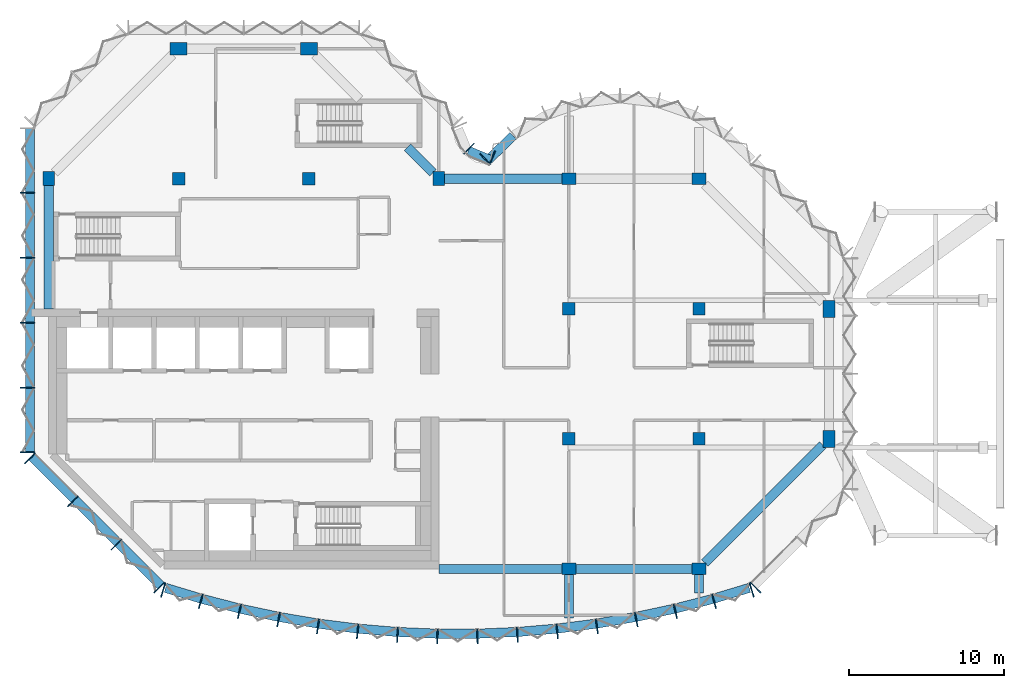
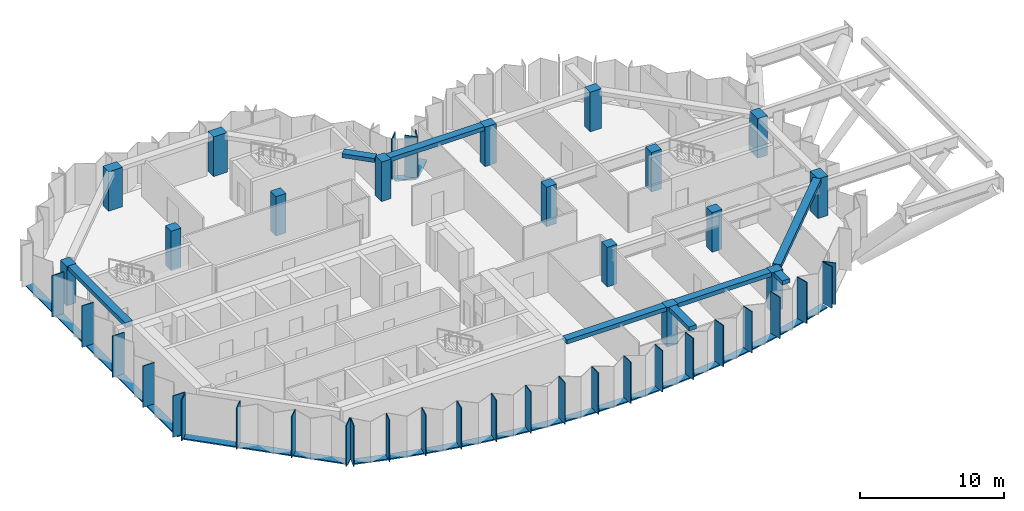
# One storey, part 1 of 11: 48 members, 16 columns, 8 beams, 6 elements without a shape of their own.
"""IFC4 building model written with IfcOpenShell, lengths in metres."""

from ifc_helpers import new_model, si_unit, direction, frame, origin, origin_2d, place, context, subcontext, project, spatial, rectangle, extrude, material, material_profile, profile_set, type_object, element, aggregate, save


model = new_model("IFC4")

# Units and contexts
model_context = context("Model", 3, precision=1e-05, world=origin(), true_north=direction((0.0, 1.0)))
body_context = subcontext(model_context, "Body", "Model", "MODEL_VIEW")
ifc_project = project(units=[si_unit("LENGTHUNIT", "METRE"), si_unit("AREAUNIT", "SQUARE_METRE"), si_unit("VOLUMEUNIT", "CUBIC_METRE"), si_unit("PLANEANGLEUNIT", "RADIAN"), si_unit("MASSUNIT", "GRAM", prefix="KILO")], contexts=[model_context])

# Site, building, storey
site_placement = place(None, origin())
site = spatial("IfcSite", under=ifc_project, at=site_placement, CompositionType="ELEMENT")
building_placement = place(site_placement, origin())
building = spatial("IfcBuilding", under=site, at=building_placement, Name="Brevane Broadcast Tower", CompositionType="ELEMENT")
storey_placement = place(building_placement, frame((0.0, 0.0, 219.300048828125)))
storey = spatial("IfcBuildingStorey", under=building, at=storey_placement, Name="L55", CompositionType="ELEMENT", Elevation=219.300048828125)

# Columns
ifc_material_1 = material(Name="Concrete C50/60", Category="concrete")
ifc_material_profile_1 = material_profile(ifc_material_1, rectangle(XDim=0.75, YDim=0.89990234375, at=origin_2d()), Name="RC 750x900")
ifc_profile_set_1 = profile_set([ifc_material_profile_1], Name="Concrete C50/60")
column_type_1 = type_object("IfcColumnType", Name="RC COLUMN EDGE 750x900 C50/60", PredefinedType="COLUMN", material=ifc_profile_set_1)
for number, where, z_axis, x_axis, name in (
    (1, (0.0, 25.199951171875, 0.0), (0.0, 0.0, 1.0), (1.0, 0.0, 0.0), "CE14 1/D"),
    (2, (25.199951171875, 25.199951171875, 0.0), (0.0, 0.0, 1.0), (1.0, 0.0, 0.0), "CE14 4/D"),
    (3, (33.60009765625, 0.0, 0.0), (0.0, 0.0, 1.0), (0.0, 1.0, 0.0), "CE14 5/A"),
    (4, (33.60009765625, 25.199951171875, 0.0), (0.0, 0.0, 1.0), (0.0, 1.0, 0.0), "CE14 5/D"),
    (5, (42.0, 0.0, 0.0), (0.0, 0.0, 1.0), (0.0, 1.0, 0.0), "CE14 6/A"),
    (6, (42.0, 25.199951171875, 0.0), (0.0, 0.0, 1.0), (0.0, 1.0, 0.0), "CE14 6/D"),
):
    element("IfcColumn", number, at=place(storey_placement, frame(where, z_axis=z_axis, x_axis=x_axis)), inside=storey, type_object=column_type_1, Name=name, PredefinedType="COLUMN", context=body_context, shape_type="SweptSolid", body=[
        extrude(rectangle(XDim=0.75, YDim=0.89990234375, at=origin_2d()), origin(), (0.0, 0.0, 1.0), 3.349853515625),
    ])
ifc_material_profile_2 = material_profile(ifc_material_1, rectangle(XDim=0.800048828125, YDim=0.800048828125, at=origin_2d()), Name="RC 800x800")
ifc_profile_set_2 = profile_set([ifc_material_profile_2], Name="Concrete C50/60")
column_type_2 = type_object("IfcColumnType", Name="RC COLUMN INTERIOR 800x800 C50/60", PredefinedType="COLUMN", material=ifc_profile_set_2)
for number, where, z_axis, x_axis, name in (
    (7, (8.39990234375, 25.199951171875, 0.0), (0.0, 0.0, 1.0), (1.0, 0.0, 0.0), "CI15 2/D"),
    (8, (16.800048828125, 25.199951171875, 0.0), (0.0, 0.0, 1.0), (1.0, 0.0, 0.0), "CI15 3/D"),
    (9, (33.60009765625, 8.39990234375, 0.0), (0.0, 0.0, 1.0), (1.0, 0.0, 0.0), "CI15 5/B"),
    (10, (33.60009765625, 16.800048828125, 0.0), (0.0, 0.0, 1.0), (1.0, 0.0, 0.0), "CI15 5/C"),
    (11, (42.0, 8.39990234375, 0.0), (0.0, 0.0, 1.0), (1.0, 0.0, 0.0), "CI15 6/B"),
    (12, (42.0, 16.800048828125, 0.0), (0.0, 0.0, 1.0), (1.0, 0.0, 0.0), "CI15 6/C"),
):
    element("IfcColumn", number, at=place(storey_placement, frame(where, z_axis=z_axis, x_axis=x_axis)), inside=storey, type_object=column_type_2, Name=name, PredefinedType="COLUMN", context=body_context, shape_type="SweptSolid", body=[
        extrude(rectangle(XDim=0.800048828125, YDim=0.800048828125, at=origin_2d()), origin(), (0.0, 0.0, 1.0), 3.349853515625),
    ])
ifc_material_profile_3 = material_profile(ifc_material_1, rectangle(XDim=0.800048828125, YDim=1.10009765625, at=origin_2d()), Name="RC 800x1100")
ifc_profile_set_3 = profile_set([ifc_material_profile_3], Name="Concrete C50/60")
column_type_3 = type_object("IfcColumnType", Name="RC COLUMN WING-END 800x1100 C50/60", PredefinedType="COLUMN", material=ifc_profile_set_3)
for number, where, z_axis, x_axis, name in (
    (13, (8.39990234375, 33.60009765625, 0.0), (0.0, 0.0, 1.0), (0.0, 1.0, 0.0), "CW16 2/E"),
    (14, (16.800048828125, 33.60009765625, 0.0), (0.0, 0.0, 1.0), (0.0, 1.0, 0.0), "CW16 3/E"),
    (15, (50.39990234375, 8.39990234375, 0.0), (0.0, 0.0, 1.0), (1.0, 0.0, 0.0), "CW16 7/B"),
    (16, (50.39990234375, 16.800048828125, 0.0), (0.0, 0.0, 1.0), (1.0, 0.0, 0.0), "CW16 7/C"),
):
    element("IfcColumn", number, at=place(storey_placement, frame(where, z_axis=z_axis, x_axis=x_axis)), inside=storey, type_object=column_type_3, Name=name, PredefinedType="COLUMN", context=body_context, shape_type="SweptSolid", body=[
        extrude(rectangle(XDim=0.800048828125, YDim=1.10009765625, at=origin_2d()), origin(), (0.0, 0.0, 1.0), 3.349853515625),
    ])

# Curtain wall, members
ifc_material_2 = material(Name="Aluminium 6063-T6 bronze anodised", Category="aluminium")
curtain_wall_type = type_object("IfcCurtainWallType", Name="CW-1 curtain wall", PredefinedType="NOTDEFINED", material=ifc_material_2)
curtain_wall_1_placement = place(storey_placement, origin())
curtain_wall_1 = element("IfcCurtainWall", 17, at=curtain_wall_1_placement, inside=storey, type_object=curtain_wall_type, Name="CW-1 typical tilted unit L55 south bow", PredefinedType="NOTDEFINED")
ifc_material_profile_4 = material_profile(ifc_material_2, rectangle(XDim=0.949951171875, YDim=0.070068359375, at=origin_2d()), Name="RECT 70x950")
ifc_profile_set_4 = profile_set([ifc_material_profile_4], Name="Aluminium 6063-T6 bronze anodised")
member_type_1 = type_object("IfcMemberType", Name="CW-1 mullion 70x950", PredefinedType="MULLION", material=ifc_profile_set_4)
member_1_placement = place(storey_placement, frame((7.396240234375, -1.36474609375, -0.150146484375), z_axis=(0.0, 0.0, 1.0), x_axis=(0.288968122518, 0.957338719664, 0.0)))
member_1 = element("IfcMember", 18, at=member_1_placement, type_object=member_type_1, Name="CW-1 mullion", PredefinedType="MULLION", context=body_context, shape_type="SweptSolid", body=[
    extrude(rectangle(XDim=0.949951171875, YDim=0.070068359375, at=origin_2d()), origin(), (0.0, 0.0, 1.0), 3.5),
])
member_2_placement = place(storey_placement, frame((9.824951171875, -2.097900390625, -0.150146484375), z_axis=(0.0, 0.0, 1.0), x_axis=(0.268915519935, 0.963163767559, 0.0)))
member_2 = element("IfcMember", 19, at=member_2_placement, type_object=member_type_1, Name="CW-1 mullion", PredefinedType="MULLION", context=body_context, shape_type="SweptSolid", body=[
    extrude(rectangle(XDim=0.949951171875, YDim=0.070068359375, at=origin_2d()), origin(), (0.0, 0.0, 1.0), 3.5),
])
member_3_placement = place(storey_placement, frame((12.325439453125, -2.739990234375, -0.150146484375), z_axis=(0.0, 0.0, 1.0), x_axis=(0.228467410001, 0.97355156133, 0.0)))
member_3 = element("IfcMember", 20, at=member_3_placement, type_object=member_type_1, Name="CW-1 mullion", PredefinedType="MULLION", context=body_context, shape_type="SweptSolid", body=[
    extrude(rectangle(XDim=0.949951171875, YDim=0.070068359375, at=origin_2d()), origin(), (0.0, 0.0, 1.0), 3.5),
])
member_4_placement = place(storey_placement, frame((14.8505859375, -3.277099609375, -0.150146484375), z_axis=(0.0, 0.0, 1.0), x_axis=(0.187620976959, 0.982241502384, 0.0)))
member_4 = element("IfcMember", 21, at=member_4_placement, type_object=member_type_1, Name="CW-1 mullion", PredefinedType="MULLION", context=body_context, shape_type="SweptSolid", body=[
    extrude(rectangle(XDim=0.949951171875, YDim=0.070068359375, at=origin_2d()), origin(), (0.0, 0.0, 1.0), 3.5),
])
member_5_placement = place(storey_placement, frame((17.395751953125, -3.70849609375, -0.150146484375), z_axis=(0.0, 0.0, 1.0), x_axis=(0.146447392256, 0.989218459847, 0.0)))
member_5 = element("IfcMember", 22, at=member_5_placement, type_object=member_type_1, Name="CW-1 mullion", PredefinedType="MULLION", context=body_context, shape_type="SweptSolid", body=[
    extrude(rectangle(XDim=0.949951171875, YDim=0.070068359375, at=origin_2d()), origin(), (0.0, 0.0, 1.0), 3.5),
])
member_6_placement = place(storey_placement, frame((19.95703125, -4.033203125, -0.150146484375), z_axis=(0.0, 0.0, 1.0), x_axis=(0.105018395305, 0.994470279419, 0.0)))
member_6 = element("IfcMember", 23, at=member_6_placement, type_object=member_type_1, Name="CW-1 mullion", PredefinedType="MULLION", context=body_context, shape_type="SweptSolid", body=[
    extrude(rectangle(XDim=0.949951171875, YDim=0.070068359375, at=origin_2d()), origin(), (0.0, 0.0, 1.0), 3.5),
])
member_7_placement = place(storey_placement, frame((22.529296875, -4.250732421875, -0.150146484375), z_axis=(0.0, 0.0, 1.0), x_axis=(0.063406169479, 0.99798780437, 0.0)))
member_7 = element("IfcMember", 24, at=member_7_placement, type_object=member_type_1, Name="CW-1 mullion", PredefinedType="MULLION", context=body_context, shape_type="SweptSolid", body=[
    extrude(rectangle(XDim=0.949951171875, YDim=0.070068359375, at=origin_2d()), origin(), (0.0, 0.0, 1.0), 3.5),
])
member_8_placement = place(storey_placement, frame((25.10888671875, -4.360595703125, -0.150146484375), z_axis=(0.0, 0.0, 1.0), x_axis=(0.021281828243, 0.999773516246, 0.0)))
member_8 = element("IfcMember", 25, at=member_8_placement, type_object=member_type_1, Name="CW-1 mullion", PredefinedType="MULLION", context=body_context, shape_type="SweptSolid", body=[
    extrude(rectangle(XDim=0.949951171875, YDim=0.070068359375, at=origin_2d()), origin(), (0.0, 0.0, 1.0), 3.5),
])
member_9_placement = place(storey_placement, frame((27.691162109375, -4.360595703125, -0.150146484375), z_axis=(0.0, 0.0, 1.0), x_axis=(-0.021281828243, 0.999773516246, 0.0)))
member_9 = element("IfcMember", 26, at=member_9_placement, type_object=member_type_1, Name="CW-1 mullion", PredefinedType="MULLION", context=body_context, shape_type="SweptSolid", body=[
    extrude(rectangle(XDim=0.949951171875, YDim=0.070068359375, at=origin_2d()), origin(), (0.0, 0.0, 1.0), 3.5),
])
member_10_placement = place(storey_placement, frame((30.2705078125, -4.250732421875, -0.150146484375), z_axis=(0.0, 0.0, 1.0), x_axis=(-0.063406169479, 0.99798780437, 0.0)))
member_10 = element("IfcMember", 27, at=member_10_placement, type_object=member_type_1, Name="CW-1 mullion", PredefinedType="MULLION", context=body_context, shape_type="SweptSolid", body=[
    extrude(rectangle(XDim=0.949951171875, YDim=0.070068359375, at=origin_2d()), origin(), (0.0, 0.0, 1.0), 3.5),
])
member_11_placement = place(storey_placement, frame((32.843017578125, -4.033203125, -0.150146484375), z_axis=(0.0, 0.0, 1.0), x_axis=(-0.105018395305, 0.994470279419, 0.0)))
member_11 = element("IfcMember", 28, at=member_11_placement, type_object=member_type_1, Name="CW-1 mullion", PredefinedType="MULLION", context=body_context, shape_type="SweptSolid", body=[
    extrude(rectangle(XDim=0.949951171875, YDim=0.070068359375, at=origin_2d()), origin(), (0.0, 0.0, 1.0), 3.5),
])
member_12_placement = place(storey_placement, frame((35.404296875, -3.70849609375, -0.150146484375), z_axis=(0.0, 0.0, 1.0), x_axis=(-0.146447392256, 0.989218459847, 0.0)))
member_12 = element("IfcMember", 29, at=member_12_placement, type_object=member_type_1, Name="CW-1 mullion", PredefinedType="MULLION", context=body_context, shape_type="SweptSolid", body=[
    extrude(rectangle(XDim=0.949951171875, YDim=0.070068359375, at=origin_2d()), origin(), (0.0, 0.0, 1.0), 3.5),
])
member_13_placement = place(storey_placement, frame((37.949462890625, -3.277099609375, -0.150146484375), z_axis=(0.0, 0.0, 1.0), x_axis=(-0.187620976959, 0.982241502384, 0.0)))
member_13 = element("IfcMember", 30, at=member_13_placement, type_object=member_type_1, Name="CW-1 mullion", PredefinedType="MULLION", context=body_context, shape_type="SweptSolid", body=[
    extrude(rectangle(XDim=0.949951171875, YDim=0.070068359375, at=origin_2d()), origin(), (0.0, 0.0, 1.0), 3.5),
])
member_14_placement = place(storey_placement, frame((40.474609375, -2.739990234375, -0.150146484375), z_axis=(0.0, 0.0, 1.0), x_axis=(-0.228467410001, 0.97355156133, 0.0)))
member_14 = element("IfcMember", 31, at=member_14_placement, type_object=member_type_1, Name="CW-1 mullion", PredefinedType="MULLION", context=body_context, shape_type="SweptSolid", body=[
    extrude(rectangle(XDim=0.949951171875, YDim=0.070068359375, at=origin_2d()), origin(), (0.0, 0.0, 1.0), 3.5),
])
member_15_placement = place(storey_placement, frame((42.97509765625, -2.097900390625, -0.150146484375), z_axis=(0.0, 0.0, 1.0), x_axis=(-0.268915519935, 0.963163767559, 0.0)))
member_15 = element("IfcMember", 32, at=member_15_placement, type_object=member_type_1, Name="CW-1 mullion", PredefinedType="MULLION", context=body_context, shape_type="SweptSolid", body=[
    extrude(rectangle(XDim=0.949951171875, YDim=0.070068359375, at=origin_2d()), origin(), (0.0, 0.0, 1.0), 3.5),
])
member_16_placement = place(storey_placement, frame((45.40380859375, -1.36474609375, -0.150146484375), z_axis=(0.0, 0.0, 1.0), x_axis=(-0.288968122518, 0.957338719664, 0.0)))
member_16 = element("IfcMember", 33, at=member_16_placement, type_object=member_type_1, Name="CW-1 mullion", PredefinedType="MULLION", context=body_context, shape_type="SweptSolid", body=[
    extrude(rectangle(XDim=0.949951171875, YDim=0.070068359375, at=origin_2d()), origin(), (0.0, 0.0, 1.0), 3.5),
])

# Curtain wall, member
curtain_wall_2_placement = place(storey_placement, origin())
curtain_wall_2 = element("IfcCurtainWall", 34, at=curtain_wall_2_placement, inside=storey, type_object=curtain_wall_type, Name="CW-1 typical tilted unit L55 south-east chamfer", PredefinedType="NOTDEFINED")
member_17_placement = place(storey_placement, frame((45.66064453125, -1.211181640625, -0.150146484375), z_axis=(0.0, 0.0, 1.0), x_axis=(-0.707106781187, 0.707106781187, 0.0)))
member_17 = element("IfcMember", 35, at=member_17_placement, type_object=member_type_1, Name="CW-1 mullion", PredefinedType="MULLION", context=body_context, shape_type="SweptSolid", body=[
    extrude(rectangle(XDim=0.949951171875, YDim=0.070068359375, at=origin_2d()), origin(), (0.0, 0.0, 1.0), 3.5),
])
aggregate(curtain_wall_2, [member_17])

curtain_wall_3_placement = place(storey_placement, origin())
curtain_wall_3 = element("IfcCurtainWall", 36, at=curtain_wall_3_placement, inside=storey, type_object=curtain_wall_type, Name="CW-1 typical tilted unit L55 east bow", PredefinedType="NOTDEFINED")
member_18_placement = place(storey_placement, frame((28.194091796875, 26.465087890625, -0.150146484375), z_axis=(0.0, 0.0, 1.0), x_axis=(0.696812089895, -0.717253728729, 0.0)))
member_18 = element("IfcMember", 37, at=member_18_placement, type_object=member_type_1, Name="CW-1 mullion", PredefinedType="MULLION", context=body_context, shape_type="SweptSolid", body=[
    extrude(rectangle(XDim=0.949951171875, YDim=0.070068359375, at=origin_2d()), origin(), (0.0, 0.0, 1.0), 3.5),
])

# Curtain wall, members
curtain_wall_4_placement = place(storey_placement, origin())
curtain_wall_4 = element("IfcCurtainWall", 38, at=curtain_wall_4_placement, inside=storey, type_object=curtain_wall_type, Name="CW-1 typical tilted unit L55 inner corner", PredefinedType="NOTDEFINED")
member_19_placement = place(storey_placement, frame((28.6494140625, 26.55224609375, -0.150146484375), z_axis=(0.0, 0.0, 1.0), x_axis=(-0.382683432365, -0.923879532511, 0.0)))
member_19 = element("IfcMember", 39, at=member_19_placement, type_object=member_type_1, Name="CW-1 mullion", PredefinedType="MULLION", context=body_context, shape_type="SweptSolid", body=[
    extrude(rectangle(XDim=0.949951171875, YDim=0.070068359375, at=origin_2d()), origin(), (0.0, 0.0, 1.0), 3.5),
])
member_20_placement = place(storey_placement, frame((27.138916015625, 27.138916015625, -0.150146484375), z_axis=(0.0, 0.0, 1.0), x_axis=(-0.707106781187, -0.707106781187, 0.0)))
member_20 = element("IfcMember", 40, at=member_20_placement, type_object=member_type_1, Name="CW-1 mullion", PredefinedType="MULLION", context=body_context, shape_type="SweptSolid", body=[
    extrude(rectangle(XDim=0.949951171875, YDim=0.070068359375, at=origin_2d()), origin(), (0.0, 0.0, 1.0), 3.5),
])

curtain_wall_5_placement = place(storey_placement, origin())
curtain_wall_5 = element("IfcCurtainWall", 41, at=curtain_wall_5_placement, inside=storey, type_object=curtain_wall_type, Name="CW-1 typical tilted unit L55 west face", PredefinedType="NOTDEFINED")
member_21_placement = place(storey_placement, frame((-1.375, 24.300048828125, -0.150146484375), z_axis=(0.0, 0.0, 1.0), x_axis=(1.0, 0.0, 0.0)))
member_21 = element("IfcMember", 42, at=member_21_placement, type_object=member_type_1, Name="CW-1 mullion", PredefinedType="MULLION", context=body_context, shape_type="SweptSolid", body=[
    extrude(rectangle(XDim=0.949951171875, YDim=0.070068359375, at=origin_2d()), origin(), (0.0, 0.0, 1.0), 3.5),
])
member_22_placement = place(storey_placement, frame((-1.375, 20.10009765625, -0.150146484375), z_axis=(0.0, 0.0, 1.0), x_axis=(1.0, 0.0, 0.0)))
member_22 = element("IfcMember", 43, at=member_22_placement, type_object=member_type_1, Name="CW-1 mullion", PredefinedType="MULLION", context=body_context, shape_type="SweptSolid", body=[
    extrude(rectangle(XDim=0.949951171875, YDim=0.070068359375, at=origin_2d()), origin(), (0.0, 0.0, 1.0), 3.5),
])
member_23_placement = place(storey_placement, frame((-1.375, 15.89990234375, -0.150146484375), z_axis=(0.0, 0.0, 1.0), x_axis=(1.0, 0.0, 0.0)))
member_23 = element("IfcMember", 44, at=member_23_placement, type_object=member_type_1, Name="CW-1 mullion", PredefinedType="MULLION", context=body_context, shape_type="SweptSolid", body=[
    extrude(rectangle(XDim=0.949951171875, YDim=0.070068359375, at=origin_2d()), origin(), (0.0, 0.0, 1.0), 3.5),
])
member_24_placement = place(storey_placement, frame((-1.375, 11.699951171875, -0.150146484375), z_axis=(0.0, 0.0, 1.0), x_axis=(1.0, 0.0, 0.0)))
member_24 = element("IfcMember", 45, at=member_24_placement, type_object=member_type_1, Name="CW-1 mullion", PredefinedType="MULLION", context=body_context, shape_type="SweptSolid", body=[
    extrude(rectangle(XDim=0.949951171875, YDim=0.070068359375, at=origin_2d()), origin(), (0.0, 0.0, 1.0), 3.5),
])
member_25_placement = place(storey_placement, frame((-1.375, 7.534912109375, -0.150146484375), z_axis=(0.0, 0.0, 1.0), x_axis=(1.0, 0.0, 0.0)))
member_25 = element("IfcMember", 46, at=member_25_placement, type_object=member_type_1, Name="CW-1 mullion", PredefinedType="MULLION", context=body_context, shape_type="SweptSolid", body=[
    extrude(rectangle(XDim=0.949951171875, YDim=0.070068359375, at=origin_2d()), origin(), (0.0, 0.0, 1.0), 3.5),
])

curtain_wall_6_placement = place(storey_placement, origin())
curtain_wall_6 = element("IfcCurtainWall", 47, at=curtain_wall_6_placement, inside=storey, type_object=curtain_wall_type, Name="CW-1 typical tilted unit L55 south-west chamfer", PredefinedType="NOTDEFINED")
member_26_placement = place(storey_placement, frame((-1.211181640625, 7.139404296875, -0.150146484375), z_axis=(0.0, 0.0, 1.0), x_axis=(0.707106781187, 0.707106781187, 0.0)))
member_26 = element("IfcMember", 48, at=member_26_placement, type_object=member_type_1, Name="CW-1 mullion", PredefinedType="MULLION", context=body_context, shape_type="SweptSolid", body=[
    extrude(rectangle(XDim=0.949951171875, YDim=0.070068359375, at=origin_2d()), origin(), (0.0, 0.0, 1.0), 3.5),
])
member_27_placement = place(storey_placement, frame((1.564208984375, 4.364013671875, -0.150146484375), z_axis=(0.0, 0.0, 1.0), x_axis=(0.707106781187, 0.707106781187, 0.0)))
member_27 = element("IfcMember", 49, at=member_27_placement, type_object=member_type_1, Name="CW-1 mullion", PredefinedType="MULLION", context=body_context, shape_type="SweptSolid", body=[
    extrude(rectangle(XDim=0.949951171875, YDim=0.070068359375, at=origin_2d()), origin(), (0.0, 0.0, 1.0), 3.5),
])
member_28_placement = place(storey_placement, frame((4.364013671875, 1.564208984375, -0.150146484375), z_axis=(0.0, 0.0, 1.0), x_axis=(0.707106781187, 0.707106781187, 0.0)))
member_28 = element("IfcMember", 50, at=member_28_placement, type_object=member_type_1, Name="CW-1 mullion", PredefinedType="MULLION", context=body_context, shape_type="SweptSolid", body=[
    extrude(rectangle(XDim=0.949951171875, YDim=0.070068359375, at=origin_2d()), origin(), (0.0, 0.0, 1.0), 3.5),
])
member_29_placement = place(storey_placement, frame((7.139404296875, -1.211181640625, -0.150146484375), z_axis=(0.0, 0.0, 1.0), x_axis=(0.707106781187, 0.707106781187, 0.0)))
member_29 = element("IfcMember", 51, at=member_29_placement, type_object=member_type_1, Name="CW-1 mullion", PredefinedType="MULLION", context=body_context, shape_type="SweptSolid", body=[
    extrude(rectangle(XDim=0.949951171875, YDim=0.070068359375, at=origin_2d()), origin(), (0.0, 0.0, 1.0), 3.5),
])

# Member
ifc_material_profile_5 = material_profile(ifc_material_2, rectangle(XDim=0.60009765625, YDim=0.10009765625, at=origin_2d()), Name="RECT 100x600")
ifc_profile_set_5 = profile_set([ifc_material_profile_5], Name="Aluminium 6063-T6 bronze anodised")
member_type_2 = type_object("IfcMemberType", Name="CW-1 transom 100x600", PredefinedType="USERDEFINED", material=ifc_profile_set_5)
member_30_placement = place(storey_placement, frame((7.553955078125, -1.229736328125, -0.199951171875), z_axis=(0.957362578524, -0.288889067362, 0.0), x_axis=(0.288889067362, 0.957362578524, 0.0)))
member_30 = element("IfcMember", 52, at=member_30_placement, type_object=member_type_2, Name="CW-1 transom", ObjectType="TRANSOM", PredefinedType="USERDEFINED", context=body_context, shape_type="SweptSolid", body=[
    extrude(rectangle(XDim=0.60009765625, YDim=0.10009765625, at=origin_2d()), origin(), (0.0, 0.0, 1.0), 2.411865234375),
])

member_31_placement = place(storey_placement, frame((9.8759765625, -1.930419921875, -0.199951171875), z_axis=(0.968569727699, -0.248742201052, 0.0), x_axis=(0.248742201052, 0.968569727699, 0.0)))
member_31 = element("IfcMember", 53, at=member_31_placement, type_object=member_type_2, Name="CW-1 transom", ObjectType="TRANSOM", PredefinedType="USERDEFINED", context=body_context, shape_type="SweptSolid", body=[
    extrude(rectangle(XDim=0.60009765625, YDim=0.10009765625, at=origin_2d()), origin(), (0.0, 0.0, 1.0), 2.561767578125),
])

member_32_placement = place(storey_placement, frame((12.370361328125, -2.57080078125, -0.199951171875), z_axis=(0.978117897278, -0.208051385536, 0.0), x_axis=(0.208051385536, 0.978117897278, 0.0)))
member_32 = element("IfcMember", 54, at=member_32_placement, type_object=member_type_2, Name="CW-1 transom", ObjectType="TRANSOM", PredefinedType="USERDEFINED", context=body_context, shape_type="SweptSolid", body=[
    extrude(rectangle(XDim=0.60009765625, YDim=0.10009765625, at=origin_2d()), origin(), (0.0, 0.0, 1.0), 2.561767578125),
])

member_33_placement = place(storey_placement, frame((14.88916015625, -3.1064453125, -0.199951171875), z_axis=(0.985947338221, -0.167056416383, 0.0), x_axis=(0.167056416383, 0.985947338221, 0.0)))
member_33 = element("IfcMember", 55, at=member_33_placement, type_object=member_type_2, Name="CW-1 transom", ObjectType="TRANSOM", PredefinedType="USERDEFINED", context=body_context, shape_type="SweptSolid", body=[
    extrude(rectangle(XDim=0.60009765625, YDim=0.10009765625, at=origin_2d()), origin(), (0.0, 0.0, 1.0), 2.561767578125),
])

member_34_placement = place(storey_placement, frame((17.428466796875, -3.536376953125, -0.199951171875), z_axis=(0.99206678005, -0.12571198798, 0.0), x_axis=(0.12571198798, 0.99206678005, 0.0)))
member_34 = element("IfcMember", 56, at=member_34_placement, type_object=member_type_2, Name="CW-1 transom", ObjectType="TRANSOM", PredefinedType="USERDEFINED", context=body_context, shape_type="SweptSolid", body=[
    extrude(rectangle(XDim=0.60009765625, YDim=0.10009765625, at=origin_2d()), origin(), (0.0, 0.0, 1.0), 2.5615234375),
])

member_35_placement = place(storey_placement, frame((19.983154296875, -3.85986328125, -0.199951171875), z_axis=(0.99644513768, -0.084244214012, 0.0), x_axis=(0.084244214012, 0.99644513768, 0.0)))
member_35 = element("IfcMember", 57, at=member_35_placement, type_object=member_type_2, Name="CW-1 transom", ObjectType="TRANSOM", PredefinedType="USERDEFINED", context=body_context, shape_type="SweptSolid", body=[
    extrude(rectangle(XDim=0.60009765625, YDim=0.10009765625, at=origin_2d()), origin(), (0.0, 0.0, 1.0), 2.561767578125),
])

member_36_placement = place(storey_placement, frame((22.54931640625, -4.076416015625, -0.199951171875), z_axis=(0.999092306129, -0.042597697524, 0.0), x_axis=(0.042597697524, 0.999092306129, 0.0)))
member_36 = element("IfcMember", 58, at=member_36_placement, type_object=member_type_2, Name="CW-1 transom", ObjectType="TRANSOM", PredefinedType="USERDEFINED", context=body_context, shape_type="SweptSolid", body=[
    extrude(rectangle(XDim=0.60009765625, YDim=0.10009765625, at=origin_2d()), origin(), (0.0, 0.0, 1.0), 2.56201171875),
])

member_37_placement = place(storey_placement, frame((25.122314453125, -4.185546875, -0.199951171875), z_axis=(1.0, 0.0, 0.0), x_axis=(0.0, 1.0, 0.0)))
member_37 = element("IfcMember", 59, at=member_37_placement, type_object=member_type_2, Name="CW-1 transom", ObjectType="TRANSOM", PredefinedType="USERDEFINED", context=body_context, shape_type="SweptSolid", body=[
    extrude(rectangle(XDim=0.60009765625, YDim=0.10009765625, at=origin_2d()), origin(), (0.0, 0.0, 1.0), 2.56201171875),
])

member_38_placement = place(storey_placement, frame((27.691162109375, -4.185546875, -0.199951171875), z_axis=(0.999092133182, 0.042601753652, 0.0), x_axis=(-0.042601753652, 0.999092133182, 0.0)))
member_38 = element("IfcMember", 60, at=member_38_placement, type_object=member_type_2, Name="CW-1 transom", ObjectType="TRANSOM", PredefinedType="USERDEFINED", context=body_context, shape_type="SweptSolid", body=[
    extrude(rectangle(XDim=0.60009765625, YDim=0.10009765625, at=origin_2d()), origin(), (0.0, 0.0, 1.0), 2.561767578125),
])

member_39_placement = place(storey_placement, frame((30.26416015625, -4.07568359375, -0.199951171875), z_axis=(0.99644513768, 0.084244214012, 0.0), x_axis=(-0.084244214012, 0.99644513768, 0.0)))
member_39 = element("IfcMember", 61, at=member_39_placement, type_object=member_type_2, Name="CW-1 transom", ObjectType="TRANSOM", PredefinedType="USERDEFINED", context=body_context, shape_type="SweptSolid", body=[
    extrude(rectangle(XDim=0.60009765625, YDim=0.10009765625, at=origin_2d()), origin(), (0.0, 0.0, 1.0), 2.561767578125),
])

member_40_placement = place(storey_placement, frame((32.830322265625, -3.8583984375, -0.199951171875), z_axis=(0.99206678005, 0.12571198798, 0.0), x_axis=(-0.12571198798, 0.99206678005, 0.0)))
member_40 = element("IfcMember", 62, at=member_40_placement, type_object=member_type_2, Name="CW-1 transom", ObjectType="TRANSOM", PredefinedType="USERDEFINED", context=body_context, shape_type="SweptSolid", body=[
    extrude(rectangle(XDim=0.60009765625, YDim=0.10009765625, at=origin_2d()), origin(), (0.0, 0.0, 1.0), 2.5615234375),
])

member_41_placement = place(storey_placement, frame((35.385009765625, -3.534423828125, -0.199951171875), z_axis=(0.9859446783, 0.167072114167, 0.0), x_axis=(-0.167072114167, 0.9859446783, 0.0)))
member_41 = element("IfcMember", 63, at=member_41_placement, type_object=member_type_2, Name="CW-1 transom", ObjectType="TRANSOM", PredefinedType="USERDEFINED", context=body_context, shape_type="SweptSolid", body=[
    extrude(rectangle(XDim=0.60009765625, YDim=0.10009765625, at=origin_2d()), origin(), (0.0, 0.0, 1.0), 2.5615234375),
])

member_42_placement = place(storey_placement, frame((37.924072265625, -3.103759765625, -0.199951171875), z_axis=(0.978117897278, 0.208051385536, 0.0), x_axis=(-0.208051385536, 0.978117897278, 0.0)))
member_42 = element("IfcMember", 64, at=member_42_placement, type_object=member_type_2, Name="CW-1 transom", ObjectType="TRANSOM", PredefinedType="USERDEFINED", context=body_context, shape_type="SweptSolid", body=[
    extrude(rectangle(XDim=0.60009765625, YDim=0.10009765625, at=origin_2d()), origin(), (0.0, 0.0, 1.0), 2.561767578125),
])

member_43_placement = place(storey_placement, frame((40.44287109375, -2.567626953125, -0.199951171875), z_axis=(0.968569727699, 0.248742201052, 0.0), x_axis=(-0.248742201052, 0.968569727699, 0.0)))
member_43 = element("IfcMember", 65, at=member_43_placement, type_object=member_type_2, Name="CW-1 transom", ObjectType="TRANSOM", PredefinedType="USERDEFINED", context=body_context, shape_type="SweptSolid", body=[
    extrude(rectangle(XDim=0.60009765625, YDim=0.10009765625, at=origin_2d()), origin(), (0.0, 0.0, 1.0), 2.561767578125),
])

member_44_placement = place(storey_placement, frame((42.93701171875, -1.926513671875, -0.199951171875), z_axis=(0.957362578524, 0.288889067362, 0.0), x_axis=(-0.288889067362, 0.957362578524, 0.0)))
member_44 = element("IfcMember", 66, at=member_44_placement, type_object=member_type_2, Name="CW-1 transom", ObjectType="TRANSOM", PredefinedType="USERDEFINED", context=body_context, shape_type="SweptSolid", body=[
    extrude(rectangle(XDim=0.60009765625, YDim=0.10009765625, at=origin_2d()), origin(), (0.0, 0.0, 1.0), 2.411865234375),
])

aggregate(curtain_wall_1, [member_1, member_2, member_3, member_4, member_5, member_6, member_7, member_8, member_9, member_10, member_11, member_12, member_13, member_14, member_15, member_16, member_30, member_31, member_32, member_33, member_34, member_35, member_36, member_37, member_38, member_39, member_40, member_41, member_42, member_43, member_44])

member_45_placement = place(storey_placement, frame((29.99951171875, 27.974365234375, -0.199951171875), z_axis=(-0.71724215871, -0.696823999134, 0.0), x_axis=(0.696823999134, -0.71724215871, 0.0)))
member_45 = element("IfcMember", 67, at=member_45_placement, type_object=member_type_2, Name="CW-1 transom", ObjectType="TRANSOM", PredefinedType="USERDEFINED", context=body_context, shape_type="SweptSolid", body=[
    extrude(rectangle(XDim=0.60009765625, YDim=0.10009765625, at=origin_2d()), origin(), (0.0, 0.0, 1.0), 2.247802734375),
])

aggregate(curtain_wall_3, [member_18, member_45])

member_46_placement = place(storey_placement, frame((28.528076171875, 26.40673828125, -0.199951171875), z_axis=(-0.923883243627, 0.382674472816, 0.0), x_axis=(-0.382674472816, -0.923883243627, 0.0)))
member_46 = element("IfcMember", 68, at=member_46_placement, type_object=member_type_2, Name="CW-1 transom", ObjectType="TRANSOM", PredefinedType="USERDEFINED", context=body_context, shape_type="SweptSolid", body=[
    extrude(rectangle(XDim=0.60009765625, YDim=0.10009765625, at=origin_2d()), origin(), (0.0, 0.0, 1.0), 1.536865234375),
])

aggregate(curtain_wall_4, [member_19, member_20, member_46])

member_47_placement = place(storey_placement, frame((-1.199951171875, 28.5, -0.199951171875), z_axis=(0.0, -1.0, 0.0), x_axis=(1.0, 0.0, 0.0)))
member_47 = element("IfcMember", 69, at=member_47_placement, type_object=member_type_2, Name="CW-1 transom", ObjectType="TRANSOM", PredefinedType="USERDEFINED", context=body_context, shape_type="SweptSolid", body=[
    extrude(rectangle(XDim=0.60009765625, YDim=0.10009765625, at=origin_2d()), origin(), (0.0, 0.0, 1.0), 21.0),
])

aggregate(curtain_wall_5, [member_21, member_22, member_23, member_24, member_25, member_47])

member_48_placement = place(storey_placement, frame((-1.112060546875, 7.287841796875, -0.199951171875), z_axis=(0.707106781187, -0.707106781187, 0.0), x_axis=(0.707106781187, 0.707106781187, 0.0)))
member_48 = element("IfcMember", 70, at=member_48_placement, type_object=member_type_2, Name="CW-1 transom", ObjectType="TRANSOM", PredefinedType="USERDEFINED", context=body_context, shape_type="SweptSolid", body=[
    extrude(rectangle(XDim=0.60009765625, YDim=0.10009765625, at=origin_2d()), origin(), (0.0, 0.0, 1.0), 11.879150390625),
])

aggregate(curtain_wall_6, [member_26, member_27, member_28, member_29, member_48])

# Beams
ifc_material_3 = material(Name="Concrete C40/50", Category="concrete")
ifc_material_profile_6 = material_profile(ifc_material_3, rectangle(XDim=0.60009765625, YDim=0.35009765625, at=origin_2d()), Name="RC 600x350")
ifc_profile_set_6 = profile_set([ifc_material_profile_6], Name="Concrete C40/50")
beam_type_1 = type_object("IfcBeamType", Name="RC BRACKET BEAM 600x350 C40/50", PredefinedType="BEAM", material=ifc_profile_set_6)
beam_1_placement = place(storey_placement, frame((33.60009765625, -0.375, 3.175048828125), z_axis=(0.0, -1.0, 0.0), x_axis=(1.0, 0.0, 0.0)))
element("IfcBeam", 71, at=beam_1_placement, inside=storey, type_object=beam_type_1, Name="EB2 L55-1", PredefinedType="BEAM", context=body_context, shape_type="SweptSolid", body=[
    extrude(rectangle(XDim=0.60009765625, YDim=0.35009765625, at=origin_2d()), origin(), (0.0, 0.0, 1.0), 2.7958984375),
])
beam_2_placement = place(storey_placement, frame((42.0, -0.375, 3.175048828125), z_axis=(0.0, -1.0, 0.0), x_axis=(1.0, 0.0, 0.0)))
element("IfcBeam", 72, at=beam_2_placement, inside=storey, type_object=beam_type_1, Name="EB2 L55-3", PredefinedType="BEAM", context=body_context, shape_type="SweptSolid", body=[
    extrude(rectangle(XDim=0.60009765625, YDim=0.35009765625, at=origin_2d()), origin(), (0.0, 0.0, 1.0), 1.19384765625),
])
ifc_material_profile_7 = material_profile(ifc_material_3, rectangle(XDim=0.60009765625, YDim=0.35009765625, at=origin_2d()), Name="RC 600x350")
ifc_profile_set_7 = profile_set([ifc_material_profile_7], Name="Concrete C40/50")
beam_type_2 = type_object("IfcBeamType", Name="RC SPANDREL BEAM 600x350 C40/50", PredefinedType="SPANDREL", material=ifc_profile_set_7)
beam_3_placement = place(storey_placement, frame((25.199951171875, 0.0, 3.175048828125), z_axis=(1.0, 0.0, 0.0), x_axis=(0.0, 1.0, 0.0)))
element("IfcBeam", 73, at=beam_3_placement, inside=storey, type_object=beam_type_2, Name="EB1 L55-1", PredefinedType="SPANDREL", context=body_context, shape_type="SweptSolid", body=[
    extrude(rectangle(XDim=0.60009765625, YDim=0.35009765625, at=origin_2d()), origin(), (0.0, 0.0, 1.0), 7.949951171875),
])
beam_4_placement = place(storey_placement, frame((34.050048828125, 0.0, 3.175048828125), z_axis=(1.0, 0.0, 0.0), x_axis=(0.0, 1.0, 0.0)))
element("IfcBeam", 74, at=beam_4_placement, inside=storey, type_object=beam_type_2, Name="EB1 L55-2", PredefinedType="SPANDREL", context=body_context, shape_type="SweptSolid", body=[
    extrude(rectangle(XDim=0.60009765625, YDim=0.35009765625, at=origin_2d()), origin(), (0.0, 0.0, 1.0), 7.5),
])
beam_5_placement = place(storey_placement, frame((42.375, 0.375, 3.175048828125), z_axis=(0.707106781187, 0.707106781187, 0.0), x_axis=(-0.707106781187, 0.707106781187, 0.0)))
element("IfcBeam", 75, at=beam_5_placement, inside=storey, type_object=beam_type_2, Name="EB1 L55-3", PredefinedType="SPANDREL", context=body_context, shape_type="SweptSolid", body=[
    extrude(rectangle(XDim=0.60009765625, YDim=0.35009765625, at=origin_2d()), origin(), (0.0, 0.0, 1.0), 10.783447265625),
])
beam_6_placement = place(storey_placement, frame((33.14990234375, 25.199951171875, 3.175048828125), z_axis=(-1.0, 0.0, 0.0), x_axis=(0.0, -1.0, 0.0)))
element("IfcBeam", 76, at=beam_6_placement, inside=storey, type_object=beam_type_2, Name="EB1 L55-7", PredefinedType="SPANDREL", context=body_context, shape_type="SweptSolid", body=[
    extrude(rectangle(XDim=0.60009765625, YDim=0.35009765625, at=origin_2d()), origin(), (0.0, 0.0, 1.0), 7.574951171875),
])
beam_7_placement = place(storey_placement, frame((24.824951171875, 25.574951171875, 3.175048828125), z_axis=(-0.707106781187, 0.707106781187, 0.0), x_axis=(-0.707106781187, -0.707106781187, 0.0)))
element("IfcBeam", 77, at=beam_7_placement, inside=storey, type_object=beam_type_2, Name="EB1 L55-8", PredefinedType="SPANDREL", context=body_context, shape_type="SweptSolid", body=[
    extrude(rectangle(XDim=0.60009765625, YDim=0.35009765625, at=origin_2d()), origin(), (0.0, 0.0, 1.0), 2.340576171875),
])
beam_8_placement = place(storey_placement, frame((0.0, 24.75, 3.175048828125), z_axis=(0.0, -1.0, 0.0), x_axis=(1.0, 0.0, 0.0)))
element("IfcBeam", 78, at=beam_8_placement, inside=storey, type_object=beam_type_2, Name="EB1 L55-11", PredefinedType="SPANDREL", context=body_context, shape_type="SweptSolid", body=[
    extrude(rectangle(XDim=0.60009765625, YDim=0.35009765625, at=origin_2d()), origin(), (0.0, 0.0, 1.0), 7.949951171875),
])

save(model, "model.ifc")
